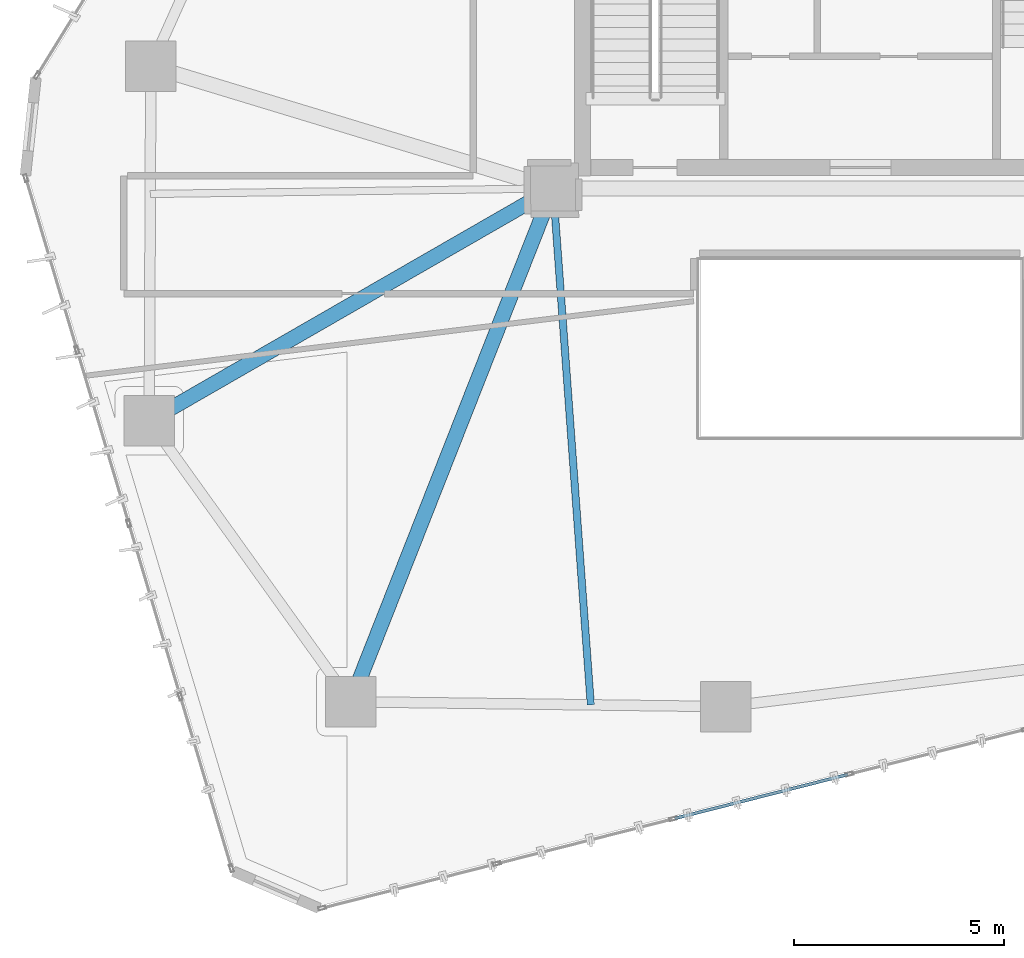
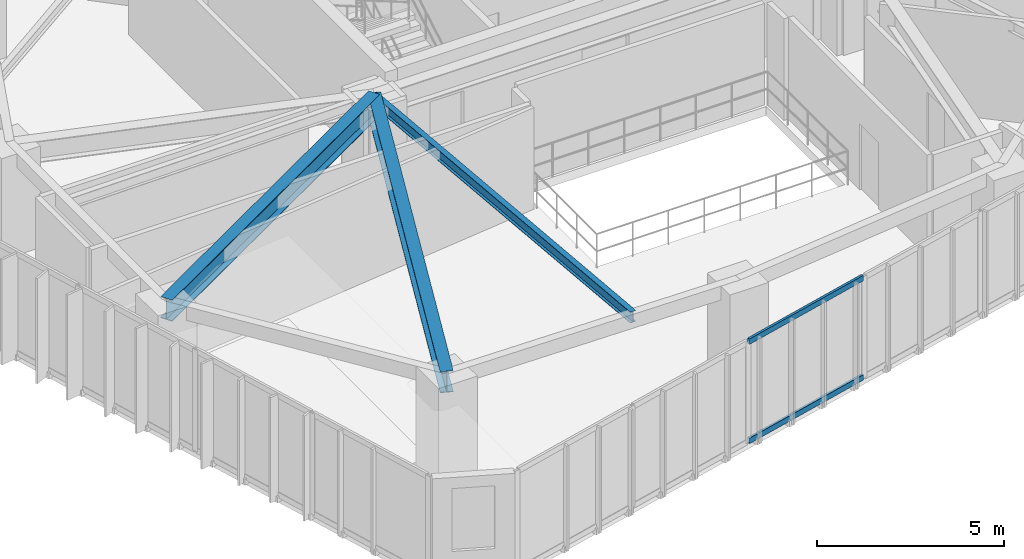
# One storey, part 4 of 20: 3 beams, 2 members, 1 element without a shape of its own.
"""IFC4 building model written with IfcOpenShell, lengths in metres."""

from ifc_helpers import new_model, si_unit, direction, frame, origin, origin_2d, place, context, subcontext, project, spatial, hollow_rectangle, i_section, extrude, source, transform, mapped, material, layer, layer_set, material_profile, profile_set, type_object, type_shapes, element, aggregate, save


model = new_model("IFC4")

# Units and contexts
model_context = context("Model", 3, precision=1e-05, world=origin(), true_north=direction((0.0, 1.0)))
body_context = subcontext(model_context, "Body", "Model", "MODEL_VIEW")
ifc_project = project(units=[si_unit("LENGTHUNIT", "METRE"), si_unit("AREAUNIT", "SQUARE_METRE"), si_unit("VOLUMEUNIT", "CUBIC_METRE"), si_unit("PLANEANGLEUNIT", "RADIAN"), si_unit("MASSUNIT", "GRAM", prefix="KILO")], contexts=[model_context])

# Site, building, storey
site_placement = place(None, origin())
site = spatial("IfcSite", under=ifc_project, at=site_placement, CompositionType="ELEMENT")
building_placement = place(site_placement, origin())
building = spatial("IfcBuilding", under=site, at=building_placement, Name="Talar Marvaseh", CompositionType="ELEMENT")
storey_placement = place(building_placement, frame((0.0, 0.0, 132.60009765625)))
storey = spatial("IfcBuildingStorey", under=building, at=storey_placement, Name="L34", CompositionType="ELEMENT", Elevation=132.60009765625)

# Beams
ifc_material_1 = material(Name="Steel S355", Category="steel")
ifc_material_profile_1 = material_profile(ifc_material_1, i_section(OverallWidth=0.35498046875, OverallDepth=0.695068359375, WebThickness=0.015380859375, FlangeThickness=0.02490234375, at=origin_2d()), Name="W690x217")
ifc_profile_set_1 = profile_set([ifc_material_profile_1], Name="Steel S355")
beam_type_1 = type_object("IfcBeamType", Name="Zone 2 Radial Floor Girder W690x217", PredefinedType="BEAM", material=ifc_profile_set_1)
beam_1_placement = place(storey_placement, frame((13.89111328125, 13.299072265625, 2.96240234375), z_axis=(0.366683712786, 0.930345664136, 0.0), x_axis=(-0.930345664136, 0.366683712786, 0.0)))
element("IfcBeam", 1, at=beam_1_placement, inside=storey, type_object=beam_type_1, Name="L34 Zone 2 Radial Floor Girder W690x217", PredefinedType="BEAM", context=body_context, shape_type="SweptSolid", body=[
    extrude(i_section(OverallWidth=0.35498046875, OverallDepth=0.695068359375, WebThickness=0.015380859375, FlangeThickness=0.02490234375, at=origin_2d()), origin(), (0.0, 0.0, 1.0), 13.114501953125),
])
beam_2_placement = place(storey_placement, frame((9.10107421875, 19.97705078125, 2.96240234375), z_axis=(0.866765990926, 0.498715065919, 0.0), x_axis=(-0.498715065919, 0.866765990926, 0.0)))
element("IfcBeam", 2, at=beam_2_placement, inside=storey, type_object=beam_type_1, Name="L34 Zone 2 Radial Floor Girder W690x217", PredefinedType="BEAM", context=body_context, shape_type="SweptSolid", body=[
    extrude(i_section(OverallWidth=0.35498046875, OverallDepth=0.695068359375, WebThickness=0.015380859375, FlangeThickness=0.02490234375, at=origin_2d()), origin(), (0.0, 0.0, 1.0), 11.074462890625),
])
ifc_material_profile_2 = material_profile(ifc_material_1, i_section(OverallWidth=0.172119140625, OverallDepth=0.35791015625, WebThickness=0.0078125, FlangeThickness=0.01318359375, at=origin_2d()), Name="W360x57")
ifc_profile_set_2 = profile_set([ifc_material_profile_2], Name="Steel S355")
beam_type_2 = type_object("IfcBeamType", Name="Zone 2 Secondary Floor Joist W360x57", PredefinedType="JOIST", material=ifc_profile_set_2)
beam_3_placement = place(storey_placement, frame((19.595947265625, 13.224853515625, 3.130859375), z_axis=(-0.07279902415, 0.997346630857, 0.0), x_axis=(-0.997346630857, -0.07279902415, 0.0)))
element("IfcBeam", 3, at=beam_3_placement, inside=storey, type_object=beam_type_2, Name="L34 Zone 2 Secondary Floor Joist W360x57", PredefinedType="JOIST", context=body_context, shape_type="SweptSolid", body=[
    extrude(i_section(OverallWidth=0.172119140625, OverallDepth=0.35791015625, WebThickness=0.0078125, FlangeThickness=0.01318359375, at=origin_2d()), origin(), (0.0, 0.0, 1.0), 12.307861328125),
])

# Curtain wall, members
ifc_material_2 = material(Name="Architectural Aluminium", Category="aluminium")
ifc_layer = layer(ifc_material_2, 0.199951171875)
ifc_layer_set = layer_set([ifc_layer], Name="Architectural Aluminium")
curtain_wall_type = type_object("IfcCurtainWallType", Name="Unitised Acoustic Library Curtain Wall Z2", PredefinedType="NOTDEFINED", material=ifc_layer_set)
curtain_wall_placement = place(storey_placement, origin())
curtain_wall = element("IfcCurtainWall", 4, at=curtain_wall_placement, inside=storey, type_object=curtain_wall_type, Name="L34 Unitised Acoustic Library Curtain Wall Z2", PredefinedType="NOTDEFINED")
ifc_material_profile_3 = material_profile(ifc_material_2, hollow_rectangle(XDim=0.074951171875, YDim=0.179931640625, WallThickness=0.0048828125, at=origin_2d()), Name="RHS180x75x5")
ifc_profile_set_3 = profile_set([ifc_material_profile_3], Name="Architectural Aluminium")
member_type = type_object("IfcMemberType", Name="Unitised Curtain Wall Transom RHS180x75x5", PredefinedType="USERDEFINED", material=ifc_profile_set_3)
shared_shape = source(origin(), body_context, "Body", "SweptSolid", [
    extrude(hollow_rectangle(XDim=0.074951171875, YDim=0.179931640625, WallThickness=0.0048828125, at=origin_2d()), origin(), (0.0, 0.0, 1.0), 4.24853515625),
])
type_shapes(member_type, [shared_shape])
member_1_placement = place(storey_placement, frame((25.7099609375, 11.571044921875, 0.037353515625), z_axis=(-0.969195505357, -0.246292655992, 0.0), x_axis=(0.246292655992, -0.969195505357, 0.0)))
member_1 = element("IfcMember", 5, at=member_1_placement, type_object=member_type, Name="CW-Z2 transom 3.1", ObjectType="TRANSOM", PredefinedType="USERDEFINED", context=body_context, shape_type="MappedRepresentation", body=[
    mapped(shared_shape, transform((0.0, 0.0, 0.0), x_axis=(1.0, 0.0, 0.0), y_axis=(0.0, 1.0, 0.0), z_axis=(0.0, 0.0, 1.0), scale=1.0)),
])
member_2_placement = place(storey_placement, frame((25.7099609375, 11.571044921875, 3.2724609375), z_axis=(-0.969195505357, -0.246292655992, 0.0), x_axis=(0.246292655992, -0.969195505357, 0.0)))
member_2 = element("IfcMember", 6, at=member_2_placement, type_object=member_type, Name="CW-Z2 transom 3.2", ObjectType="TRANSOM", PredefinedType="USERDEFINED", context=body_context, shape_type="MappedRepresentation", body=[
    mapped(shared_shape, transform((0.0, 0.0, 0.0), x_axis=(1.0, 0.0, 0.0), y_axis=(0.0, 1.0, 0.0), z_axis=(0.0, 0.0, 1.0), scale=1.0)),
])
aggregate(curtain_wall, [member_1, member_2])

save(model, "model.ifc")
